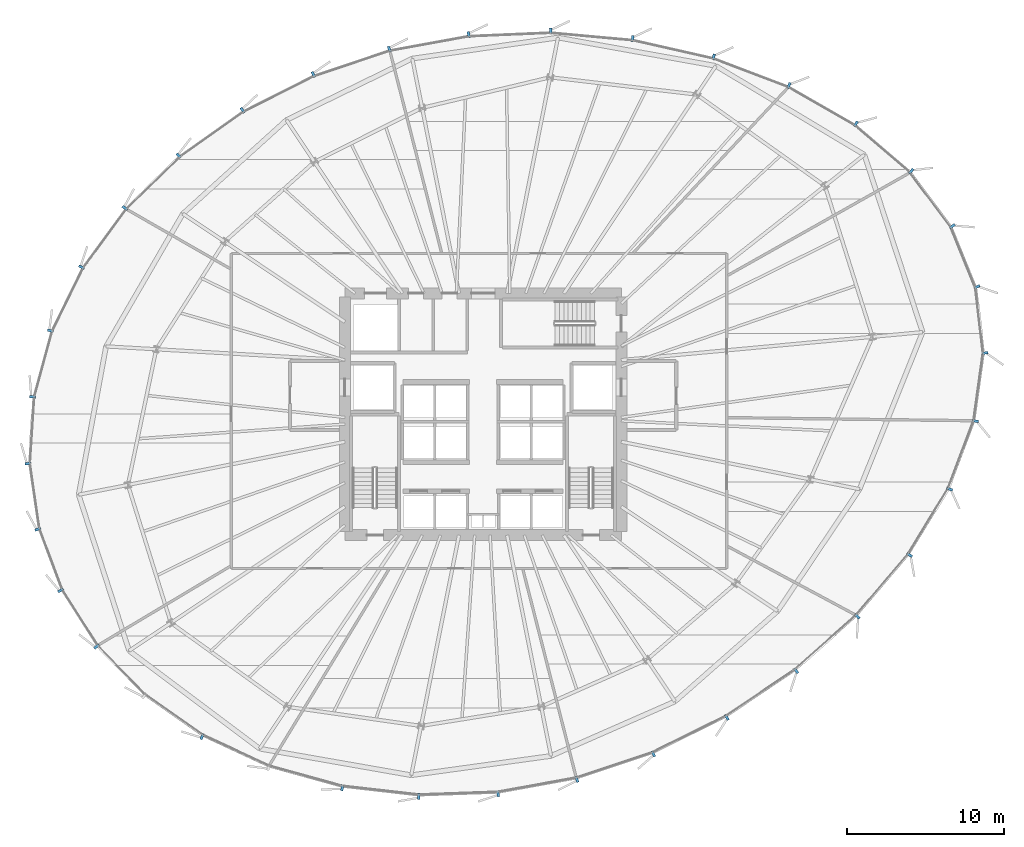
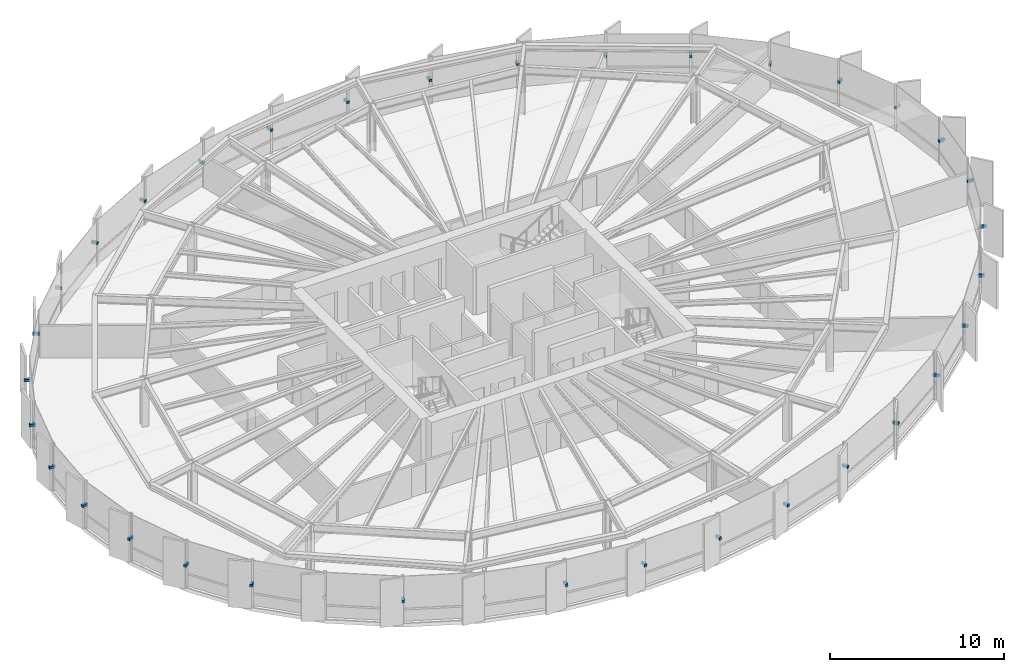
# One storey, part 30 of 35: 34 discrete accessories.
"""IFC4 building model written with IfcOpenShell, lengths in metres."""

import ifcopenshell
import ifcopenshell.guid

model = None  # the IFC model being written
_history = None  # IfcOwnerHistory: only IFC2X3 demands one
_inside = {}  # id of a spatial element -> (the spatial element, [elements in it])
_under = {}  # id of a project, library or spatial element -> (it, [spatial elements below it])
_declared = {}  # id of a project -> (the project, [libraries it declares])
_typed = {}  # id of a type object -> (the type object, [elements of that type])
_made_of = {}  # id of a material, layer set ... -> (it, [elements and type objects made of it])


def new_model(schema):
    """Start an empty IFC model of exactly this schema.

    Asked for "IFC4X3", IfcOpenShell would pick the latest addendum, in which some entities
    have other attributes; the version numbers below select the first issue.
    IFC2X3 requires an IfcOwnerHistory on every rooted entity: one is made here for all.
    """
    global model, _history
    if schema == "IFC4X3":
        model = ifcopenshell.file(schema_version=(4, 3, 0, 0))
    else:
        model = ifcopenshell.file(schema=schema)
    _inside.clear()
    _under.clear()
    _declared.clear()
    _typed.clear()
    _made_of.clear()
    _history = None
    if model.schema == "IFC2X3":
        org = make("IfcOrganization", Name="unknown")
        user = make(
            "IfcPersonAndOrganization",
            ThePerson=make("IfcPerson", FamilyName="unknown"),
            TheOrganization=org,
        )
        app = make(
            "IfcApplication",
            ApplicationDeveloper=org,
            Version="unknown",
            ApplicationFullName="unknown",
            ApplicationIdentifier="unknown",
        )
        _history = make(
            "IfcOwnerHistory",
            OwningUser=user,
            OwningApplication=app,
            ChangeAction="ADDED",
            CreationDate=0,
        )
    return model


def make(cls, **values):
    """One entity of the class cls with the attributes given. An attribute that is None is left unset."""
    return model.create_entity(
        cls, **{name: value for name, value in values.items() if value is not None}
    )


def rooted(cls, **values):
    """An entity with a GlobalId (a new one), such as an element, a storey or a relation."""
    return make(cls, GlobalId=ifcopenshell.guid.new(), OwnerHistory=_history, **values)


def si_unit(unit_type, name, prefix=None):
    """IfcSIUnit, for example si_unit("LENGTHUNIT", "METRE", prefix="MILLI")."""
    return make("IfcSIUnit", UnitType=unit_type, Prefix=prefix, Name=name)


def assignment(units):
    """IfcUnitAssignment: the units of a project."""
    return None if units is None else make("IfcUnitAssignment", Units=units)


def point(xyz):
    """IfcCartesianPoint."""
    return None if xyz is None else make("IfcCartesianPoint", Coordinates=xyz)


def direction(xyz):
    """IfcDirection."""
    return None if xyz is None else make("IfcDirection", DirectionRatios=xyz)


def frame(location, z_axis=None, x_axis=None):
    """IfcAxis2Placement3D, a coordinate frame: its origin and axes. An axis left out is left unset."""
    return make(
        "IfcAxis2Placement3D",
        Location=point(location),
        Axis=direction(z_axis),
        RefDirection=direction(x_axis),
    )


def frame_2d(location, x_axis=None):
    """IfcAxis2Placement2D, a coordinate frame in the plane: its origin and x axis."""
    return make(
        "IfcAxis2Placement2D", Location=point(location), RefDirection=direction(x_axis)
    )


def origin():
    """The frame at (0, 0, 0) with its axes left unset."""
    return frame((0.0, 0.0, 0.0))


def origin_2d():
    """The frame at (0, 0) in the plane with its x axis left unset."""
    return frame_2d((0.0, 0.0))


def place(relative_to, where):
    """IfcLocalPlacement: puts the frame where relative to a parent placement (None: the world)."""
    return make(
        "IfcLocalPlacement", PlacementRelTo=relative_to, RelativePlacement=where
    )


def context(
    kind, dimensions, precision=None, world=None, true_north=None, identifier=None
):
    """IfcGeometricRepresentationContext, for example the 3D "Model" context."""
    return make(
        "IfcGeometricRepresentationContext",
        ContextIdentifier=identifier,
        ContextType=kind,
        CoordinateSpaceDimension=dimensions,
        Precision=precision,
        WorldCoordinateSystem=world,
        TrueNorth=true_north,
    )


def subcontext(parent, identifier, kind, view, scale=None):
    """IfcGeometricRepresentationSubContext, for example "Body" below "Model"."""
    return make(
        "IfcGeometricRepresentationSubContext",
        ContextIdentifier=identifier,
        ContextType=kind,
        ParentContext=parent,
        TargetScale=scale,
        TargetView=view,
    )


def project(units=None, contexts=None):
    """IfcProject with its units and contexts."""
    return rooted(
        "IfcProject",
        Name="project",
        RepresentationContexts=contexts,
        UnitsInContext=assignment(units),
    )


def spatial(cls, under=None, at=None, **own):
    """A site, building, storey or space (cls), placed at a placement, below another one or the project."""
    s = rooted(cls, ObjectPlacement=at, **own)
    if under is not None:
        _under.setdefault(under.id(), (under, []))[1].append(s)
    return s


def profile(cls, at=None, kind="AREA", **sizes):
    """A parametric profile (cls). Its sizes go by their IFC names, for example OverallWidth=200.0."""
    return make(cls, ProfileType=kind, Position=at, **sizes)


def rectangle(**sizes):
    """IfcRectangleProfileDef."""
    return profile("IfcRectangleProfileDef", **sizes)


def extrude(swept, where, along, depth):
    """IfcExtrudedAreaSolid: the profile swept, set in the frame where, extruded along a direction by depth."""
    return make(
        "IfcExtrudedAreaSolid",
        SweptArea=swept,
        Position=where,
        ExtrudedDirection=direction(along),
        Depth=depth,
    )


def shape(context_of_items, identifier, shape_type, items):
    """IfcShapeRepresentation: the items that make up one representation, for example the "Body"."""
    return make(
        "IfcShapeRepresentation",
        ContextOfItems=context_of_items,
        RepresentationIdentifier=identifier,
        RepresentationType=shape_type,
        Items=items,
    )


def source(mapping_origin, context_of_items, identifier, shape_type, items):
    """IfcRepresentationMap: a shape defined once, which mapped items show again and again."""
    return make(
        "IfcRepresentationMap",
        MappingOrigin=mapping_origin,
        MappedRepresentation=shape(context_of_items, identifier, shape_type, items),
    )


def transform(
    local_origin,
    x_axis=None,
    y_axis=None,
    z_axis=None,
    scale=None,
    scale2=None,
    scale3=None,
    uniform=True,
):
    """IfcCartesianTransformationOperator3D, or its non-uniform kind. x_axis, y_axis, z_axis: its Axis1, 2, 3."""
    if uniform:
        return make(
            "IfcCartesianTransformationOperator3D",
            Axis1=direction(x_axis),
            Axis2=direction(y_axis),
            LocalOrigin=point(local_origin),
            Scale=scale,
            Axis3=direction(z_axis),
        )
    return make(
        "IfcCartesianTransformationOperator3DnonUniform",
        Axis1=direction(x_axis),
        Axis2=direction(y_axis),
        LocalOrigin=point(local_origin),
        Scale=scale,
        Axis3=direction(z_axis),
        Scale2=scale2,
        Scale3=scale3,
    )


def mapped(mapping_source, mapping_target):
    """IfcMappedItem: shows the shape of a source again, moved by a transform."""
    return make(
        "IfcMappedItem", MappingSource=mapping_source, MappingTarget=mapping_target
    )


def material(Name=None, Category=None):
    """IfcMaterial."""
    return make("IfcMaterial", Name=Name, Category=Category)


def made_of(thing, what):
    """Note that an element or type object is made of a material, layer set ...; save() writes the relation."""
    if what is not None:
        _made_of.setdefault(what.id(), (what, []))[1].append(thing)
    return thing


def type_object(cls, material=None, **own):
    """A type object (cls), such as IfcWallType, which elements share."""
    return made_of(rooted(cls, **own), material)


def element(
    cls,
    number,
    at=None,
    inside=None,
    cuts=None,
    type_object=None,
    material=None,
    context=None,
    identifier="Body",
    shape_type=None,
    held_by="IfcProductDefinitionShape",
    body=None,
    shapes=None,
    **own,
):
    """One element of the class cls, such as IfcWall. Its Tag is "e" and its number.

    at: its placement. inside: the storey or other place that contains it. cuts: it is an
    opening in that element (IfcRelVoidsElement). A single representation is given by context,
    identifier, shape_type and body (its items); several are given by shapes. held_by: the class
    of the entity that holds the representations. save() writes the other relations.
    """
    e = rooted(cls, Tag="e%d" % number, ObjectPlacement=at, **own)
    if body is not None:
        shapes = [shape(context, identifier, shape_type, body)]
    if shapes is not None:
        e.Representation = make(held_by, Representations=shapes)
    if inside is not None:
        _inside.setdefault(inside.id(), (inside, []))[1].append(e)
    if cuts is not None:
        rooted(
            "IfcRelVoidsElement", RelatingBuildingElement=cuts, RelatedOpeningElement=e
        )
    if type_object is not None:
        _typed.setdefault(type_object.id(), (type_object, []))[1].append(e)
    return made_of(e, material)


def aggregate(whole, parts):
    """IfcRelAggregates: a whole, such as a stair, and the parts it consists of."""
    return rooted("IfcRelAggregates", RelatingObject=whole, RelatedObjects=parts)


def save(model, path):
    """Write the relations noted so far, then the file.

    IfcRelAggregates (storeys below a building ...), IfcRelContainedInSpatialStructure (elements
    in a storey), IfcRelDefinesByType, IfcRelAssociatesMaterial and IfcRelDeclares: one each for
    every whole, place, type object, material and project.
    """
    for whole, parts in _under.values():
        aggregate(whole, parts)
    for where, things in _inside.values():
        rooted(
            "IfcRelContainedInSpatialStructure",
            RelatedElements=things,
            RelatingStructure=where,
        )
    for kind, things in _typed.values():
        rooted("IfcRelDefinesByType", RelatedObjects=things, RelatingType=kind)
    for what, things in _made_of.values():
        rooted("IfcRelAssociatesMaterial", RelatedObjects=things, RelatingMaterial=what)
    for by, libraries in _declared.values():
        rooted("IfcRelDeclares", RelatingContext=by, RelatedDefinitions=libraries)
    model.write(path)


model = new_model("IFC4")

# Units and contexts
model_context = context("Model", 3, precision=1e-05, world=origin(), true_north=direction((0.0, 1.0)))
body_context = subcontext(model_context, "Body", "Model", "MODEL_VIEW")
ifc_project = project(units=[si_unit("LENGTHUNIT", "METRE"), si_unit("AREAUNIT", "SQUARE_METRE"), si_unit("VOLUMEUNIT", "CUBIC_METRE"), si_unit("PLANEANGLEUNIT", "RADIAN"), si_unit("MASSUNIT", "GRAM", prefix="KILO"), si_unit("THERMODYNAMICTEMPERATUREUNIT", "KELVIN")], contexts=[model_context])

# Site, building, storey
site_placement = place(None, origin())
site = spatial("IfcSite", under=ifc_project, at=site_placement, CompositionType="ELEMENT")
building_placement = place(site_placement, origin())
building = spatial("IfcBuilding", under=site, at=building_placement, Name="Kethvar Cultural Tower", CompositionType="ELEMENT")
storey_placement = place(building_placement, frame((0.0, 0.0, 92.800048828125)))
storey = spatial("IfcBuildingStorey", under=building, at=storey_placement, Name="L22", CompositionType="ELEMENT", Elevation=92.800048828125)

# Discrete accessories
ifc_material = material(Name="Steel S355J2", Category="steel")
discrete_accessory_type = type_object("IfcDiscreteAccessoryType", Name="Steel Fin Bracket BRK-01", PredefinedType="BRACKET", material=ifc_material)
shared_shape = source(origin(), body_context, "Body", "SweptSolid", [
    extrude(rectangle(XDim=0.3798828125, YDim=0.159912109375, at=origin_2d()), origin(), (0.0, 0.0, 1.0), 0.179931640625),
])
for number, where, z_axis, x_axis, name in (
    (1, (78.2529296875, 35.9169921875, 1.5849609375), (0.0, 0.0, 1.0), (0.926397247385, 0.376547659716, 0.0), "L22 Terracotta Fin Bracket 1.1"),
    (2, (76.682861328125, 39.779541015625, 1.5849609375), (0.0, 0.0, 1.0), (0.801253812691, 0.598324600571, 0.0), "L22 Terracotta Fin Bracket 1.2"),
    (3, (74.06689453125, 43.2822265625, 1.5849609375), (0.0, 0.0, 1.0), (0.649713440513, 0.760179219143, 0.0), "L22 Terracotta Fin Bracket 1.3"),
    (4, (70.543212890625, 46.2939453125, 1.5849609375), (0.0, 0.0, 1.0), (0.497882410223, 0.867244547743, 0.0), "L22 Terracotta Fin Bracket 1.4"),
    (5, (66.28271484375, 48.739501953125, 1.5849609375), (0.0, 0.0, 1.0), (0.355270114859, 0.934763684301, 0.0), "L22 Terracotta Fin Bracket 1.5"),
    (6, (61.485107421875, 50.5625, 1.5849609375), (0.0, 0.0, 1.0), (0.221037880265, 0.975265223151, 0.0), "L22 Terracotta Fin Bracket 1.6"),
    (7, (56.320068359375, 51.728271484375, 1.5849609375), (0.0, 0.0, 1.0), (0.090284945449, 0.995915974681, 0.0), "L22 Terracotta Fin Bracket 2.1"),
    (8, (51.101806640625, 52.20068359375, 1.5849609375), (0.0, 0.0, 1.0), (-0.042398787456, 0.999100767101, 0.0), "L22 Terracotta Fin Bracket 2.2"),
    (9, (45.88330078125, 51.97900390625, 1.5849609375), (0.0, 0.0, 1.0), (-0.179317351584, 0.983791282448, 0.0), "L22 Terracotta Fin Bracket 2.3"),
    (10, (40.82763671875, 51.057373046875, 1.5849609375), (0.0, 0.0, 1.0), (-0.317304656405, 0.948323655206, 0.0), "L22 Terracotta Fin Bracket 2.4"),
    (11, (35.99267578125, 49.439208984375, 1.5849609375), (0.0, 0.0, 1.0), (-0.450721748209, 0.892664497833, 0.0), "L22 Terracotta Fin Bracket 2.5"),
    (12, (31.48583984375, 47.163818359375, 1.5849609375), (0.0, 0.0, 1.0), (-0.578142474935, 0.815935829999, 0.0), "L22 Terracotta Fin Bracket 2.6"),
    (13, (27.416259765625, 44.272705078125, 1.5849609375), (0.0, 0.0, 1.0), (-0.697915467487, 0.716180145105, 0.0), "L22 Terracotta Fin Bracket 3.1"),
    (14, (23.990478515625, 40.9345703125, 1.5849609375), (0.0, 0.0, 1.0), (-0.806341388983, 0.591450390493, 0.0), "L22 Terracotta Fin Bracket 3.2"),
    (15, (21.22998046875, 37.170166015625, 1.5849609375), (0.0, 0.0, 1.0), (-0.898027575761, 0.439939169856, 0.0), "L22 Terracotta Fin Bracket 3.3"),
    (16, (19.246337890625, 33.120849609375, 1.5849609375), (0.0, 0.0, 1.0), (-0.964879080263, 0.262694424132, 0.0), "L22 Terracotta Fin Bracket 3.4"),
    (17, (18.099853515625, 28.90966796875, 1.5849609375), (0.0, 0.0, 1.0), (-0.997915618272, 0.064532308253, 0.0), "L22 Terracotta Fin Bracket 3.5"),
    (18, (17.825439453125, 24.664794921875, 1.5849609375), (0.0, 0.0, 1.0), (-0.989500579088, -0.144528903632, 0.0), "L22 Terracotta Fin Bracket 3.6"),
    (19, (18.4453125, 20.478515625, 1.5849609375), (0.0, 0.0, 1.0), (-0.9367332977, -0.350043895789, 0.0), "L22 Terracotta Fin Bracket 4.1"),
    (20, (19.89990234375, 16.5869140625, 1.5849609375), (0.0, 0.0, 1.0), (-0.843391445813, -0.537299608347, 0.0), "L22 Terracotta Fin Bracket 4.2"),
    (21, (22.185546875, 12.99951171875, 1.5849609375), (0.0, 0.0, 1.0), (-0.718975979477, -0.695034920658, 0.0), "L22 Terracotta Fin Bracket 4.3"),
    (22, (28.908447265625, 7.269775390625, 1.5849609375), (0.0, 0.0, 1.0), (-0.421668946893, -0.906749854826, 0.0), "L22 Terracotta Fin Bracket 4.5"),
    (23, (37.827392578125, 4.01171875, 1.5849609375), (0.0, 0.0, 1.0), (-0.113550028869, -0.993532279769, 0.0), "L22 Terracotta Fin Bracket 5.1"),
    (24, (42.710205078125, 3.45361328125, 1.5849609375), (0.0, 0.0, 1.0), (0.035073922775, -0.999384720686, 0.0), "L22 Terracotta Fin Bracket 5.2"),
    (25, (47.755615234375, 3.630859375, 1.5849609375), (0.0, 0.0, 1.0), (0.178802215116, -0.983885037934, 0.0), "L22 Terracotta Fin Bracket 5.3"),
    (26, (52.772216796875, 4.54248046875, 1.5849609375), (0.0, 0.0, 1.0), (0.316808071828, -0.948489665534, 0.0), "L22 Terracotta Fin Bracket 5.4"),
    (27, (57.646240234375, 6.170654296875, 1.5849609375), (0.0, 0.0, 1.0), (0.444166124676, -0.895944447882, 0.0), "L22 Terracotta Fin Bracket 5.5"),
    (28, (62.326171875, 8.490478515625, 1.5849609375), (0.0, 0.0, 1.0), (0.558903480703, -0.82923271719, 0.0), "L22 Terracotta Fin Bracket 5.6"),
    (29, (66.732666015625, 11.46630859375, 1.5849609375), (0.0, 0.0, 1.0), (0.663534575496, -0.748145618928, 0.0), "L22 Terracotta Fin Bracket 6.1"),
    (30, (70.6357421875, 14.928466796875, 1.5849609375), (0.0, 0.0, 1.0), (0.761651414199, -0.647986977684, 0.0), "L22 Terracotta Fin Bracket 6.2"),
    (31, (73.961669921875, 18.837890625, 1.5849609375), (0.0, 0.0, 1.0), (0.854095929175, -0.520115510024, 0.0), "L22 Terracotta Fin Bracket 6.3"),
    (32, (76.5166015625, 23.03369140625, 1.5849609375), (0.0, 0.0, 1.0), (0.935567359834, -0.353148290685, 0.0), "L22 Terracotta Fin Bracket 6.4"),
    (33, (78.1533203125, 27.370849609375, 1.5849609375), (0.0, 0.0, 1.0), (0.990389143102, -0.138308876163, 0.0), "L22 Terracotta Fin Bracket 6.5"),
    (34, (78.7578125, 31.70068359375, 1.5849609375), (0.0, 0.0, 1.0), (0.9932113148, 0.116324048041, 0.0), "L22 Terracotta Fin Bracket 6.6"),
):
    element("IfcDiscreteAccessory", number, at=place(storey_placement, frame(where, z_axis=z_axis, x_axis=x_axis)), inside=storey, type_object=discrete_accessory_type, Name=name, PredefinedType="BRACKET", context=body_context, shape_type="MappedRepresentation", body=[
        mapped(shared_shape, transform((0.0, 0.0, 0.0), scale=1.0)),
    ])

save(model, "model.ifc")
